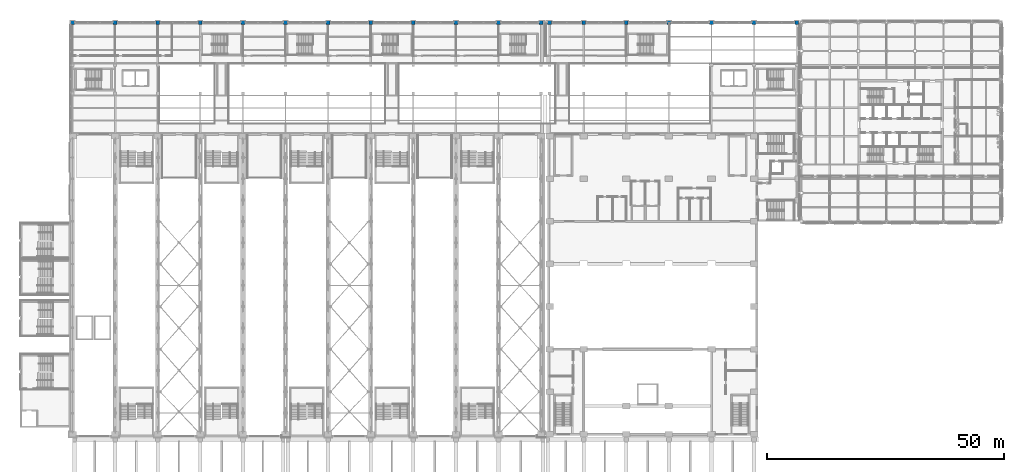
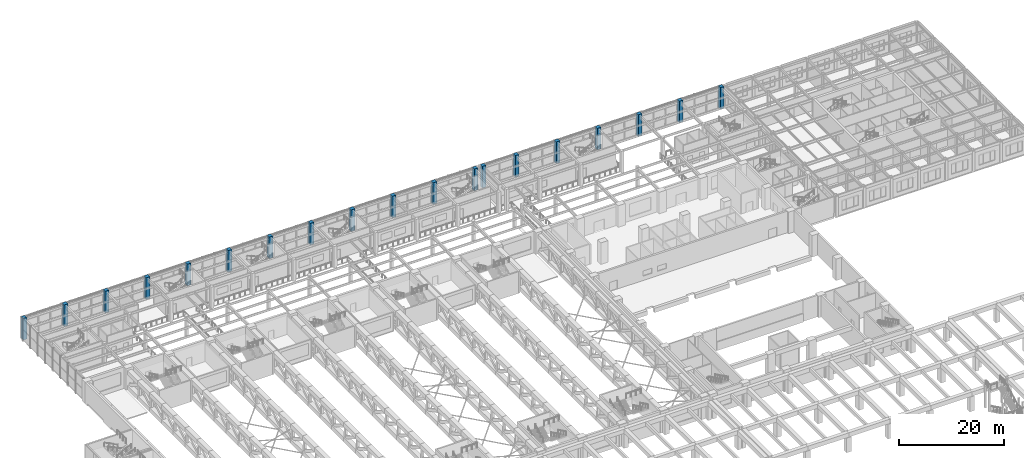
# One storey, part 5 of 76: 19 columns.
"""IFC4 building model written with IfcOpenShell, lengths in metres."""

from ifc_helpers import new_model, si_unit, direction, frame, origin, origin_2d, place, context, subcontext, project, spatial, rectangle, extrude, material, material_profile, profile_set, type_object, element, save


model = new_model("IFC4")

# Units and contexts
model_context = context("Model", 3, precision=1e-05, world=origin(), true_north=direction((0.0, 1.0)))
body_context = subcontext(model_context, "Body", "Model", "MODEL_VIEW")
ifc_project = project(units=[si_unit("LENGTHUNIT", "METRE"), si_unit("AREAUNIT", "SQUARE_METRE"), si_unit("VOLUMEUNIT", "CUBIC_METRE"), si_unit("PLANEANGLEUNIT", "RADIAN"), si_unit("MASSUNIT", "GRAM", prefix="KILO")], contexts=[model_context])

# Site, building, storey
site_placement = place(None, origin())
site = spatial("IfcSite", under=ifc_project, at=site_placement, CompositionType="ELEMENT")
building_placement = place(site_placement, origin())
building = spatial("IfcBuilding", under=site, at=building_placement, Name="Aravalli Gate Trade Fair Centre", CompositionType="ELEMENT")
storey_placement = place(building_placement, frame((0.0, 0.0, 10.0)))
storey = spatial("IfcBuildingStorey", under=building, at=storey_placement, Name="L02", CompositionType="ELEMENT", Elevation=10.0)

# Columns
ifc_material = material(Name="Concrete M45", Category="concrete")
ifc_material_profile = material_profile(ifc_material, rectangle(XDim=0.800048828125, YDim=0.800048828125, at=origin_2d()), Name="RC column 800 x 800")
ifc_profile_set = profile_set([ifc_material_profile], Name="Concrete M45")
column_type = type_object("IfcColumnType", Name="RC column 800 x 800", PredefinedType="COLUMN", material=ifc_profile_set)
for number, where, z_axis, x_axis, name in (
    (1, (6.0, 133.0, 0.0), (0.0, 0.0, 1.0), (1.0, 0.0, 0.0), "Concourse column K01 L02"),
    (2, (15.0, 133.0, 0.0), (0.0, 0.0, 1.0), (1.0, 0.0, 0.0), "Concourse column K02 L02"),
    (3, (24.0, 133.0, 0.0), (0.0, 0.0, 1.0), (1.0, 0.0, 0.0), "Concourse column K03 L02"),
    (4, (33.0, 133.0, 0.0), (0.0, 0.0, 1.0), (1.0, 0.0, 0.0), "Concourse column K04 L02"),
    (5, (42.0, 133.0, 0.0), (0.0, 0.0, 1.0), (1.0, 0.0, 0.0), "Concourse column K05 L02"),
    (6, (51.0, 133.0, 0.0), (0.0, 0.0, 1.0), (1.0, 0.0, 0.0), "Concourse column K06 L02"),
    (7, (60.0, 133.0, 0.0), (0.0, 0.0, 1.0), (1.0, 0.0, 0.0), "Concourse column K07 L02"),
    (8, (69.0, 133.0, 0.0), (0.0, 0.0, 1.0), (1.0, 0.0, 0.0), "Concourse column K08 L02"),
    (9, (78.0, 133.0, 0.0), (0.0, 0.0, 1.0), (1.0, 0.0, 0.0), "Concourse column K09 L02"),
    (10, (87.0, 133.0, 0.0), (0.0, 0.0, 1.0), (1.0, 0.0, 0.0), "Concourse column K10 L02"),
    (11, (96.0, 133.0, 0.0), (0.0, 0.0, 1.0), (1.0, 0.0, 0.0), "Concourse column K11 L02"),
    (12, (105.0, 133.0, 0.0), (0.0, 0.0, 1.0), (1.0, 0.0, 0.0), "Concourse column K12 L02"),
    (13, (106.800048828125, 133.0, 0.0), (0.0, 0.0, 1.0), (1.0, 0.0, 0.0), "Concourse column K12A L02"),
    (14, (114.0, 133.0, 0.0), (0.0, 0.0, 1.0), (1.0, 0.0, 0.0), "Concourse column K13 L02"),
    (15, (123.0, 133.0, 0.0), (0.0, 0.0, 1.0), (1.0, 0.0, 0.0), "Concourse column K14 L02"),
    (16, (132.0, 133.0, 0.0), (0.0, 0.0, 1.0), (1.0, 0.0, 0.0), "Concourse column K15 L02"),
    (17, (141.0, 133.0, 0.0), (0.0, 0.0, 1.0), (1.0, 0.0, 0.0), "Concourse column K16 L02"),
    (18, (150.0, 133.0, 0.0), (0.0, 0.0, 1.0), (1.0, 0.0, 0.0), "Concourse column K17 L02"),
    (19, (159.0, 133.0, 0.0), (0.0, 0.0, 1.0), (1.0, 0.0, 0.0), "Concourse column KE L02"),
):
    element("IfcColumn", number, at=place(storey_placement, frame(where, z_axis=z_axis, x_axis=x_axis)), inside=storey, type_object=column_type, Name=name, PredefinedType="COLUMN", context=body_context, shape_type="SweptSolid", body=[
        extrude(rectangle(XDim=0.800048828125, YDim=0.800048828125, at=origin_2d()), origin(), (0.0, 0.0, 1.0), 5.0),
    ])

save(model, "model.ifc")
